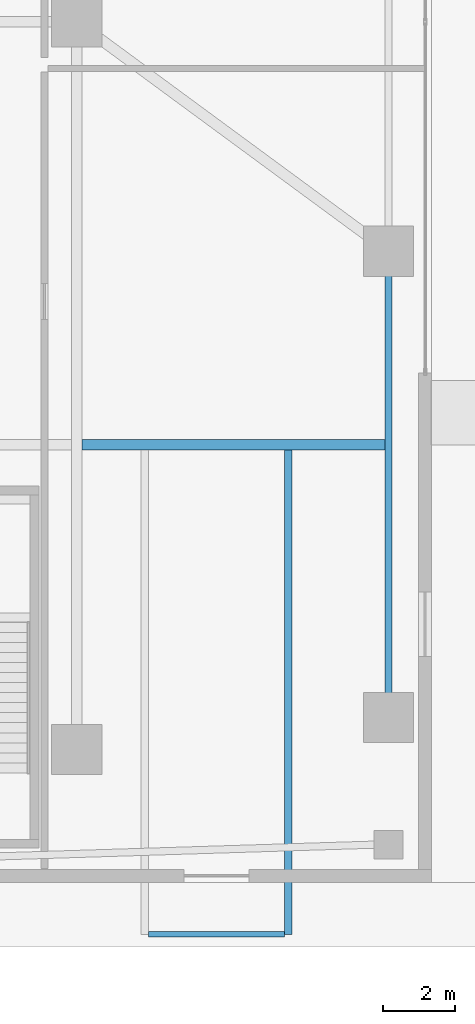
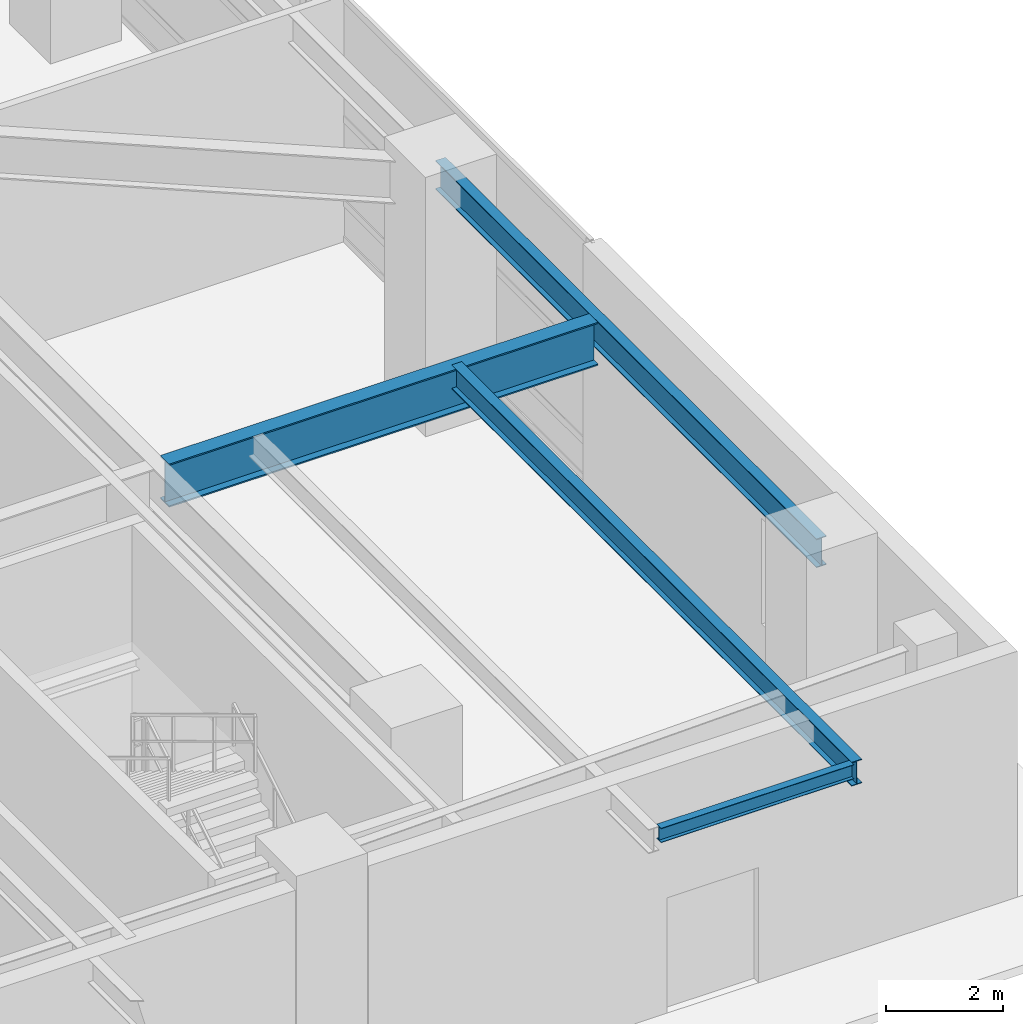
# One storey, part 19 of 32: 4 beams.
"""IFC4 building model written with IfcOpenShell, lengths in metres."""

from ifc_helpers import new_model, si_unit, direction, frame, origin, origin_2d, place, context, subcontext, project, spatial, i_section, extrude, source, transform, mapped, material, material_profile, profile_set, type_object, element, save


model = new_model("IFC4")

# Units and contexts
model_context = context("Model", 3, precision=1e-05, world=origin(), true_north=direction((0.0, 1.0)))
body_context = subcontext(model_context, "Body", "Model", "MODEL_VIEW")
ifc_project = project(units=[si_unit("LENGTHUNIT", "METRE"), si_unit("AREAUNIT", "SQUARE_METRE"), si_unit("VOLUMEUNIT", "CUBIC_METRE"), si_unit("PLANEANGLEUNIT", "RADIAN"), si_unit("MASSUNIT", "GRAM", prefix="KILO"), si_unit("THERMODYNAMICTEMPERATUREUNIT", "KELVIN"), si_unit("POWERUNIT", "WATT")], contexts=[model_context])

# Site, building, storey
site_placement = place(None, origin())
site = spatial("IfcSite", under=ifc_project, at=site_placement, CompositionType="ELEMENT")
building_placement = place(site_placement, origin())
building = spatial("IfcBuilding", under=site, at=building_placement, Name="Yuzanri Waterfront Tower", CompositionType="ELEMENT")
storey_placement = place(building_placement, origin())
storey = spatial("IfcBuildingStorey", under=building, at=storey_placement, Name="L01", CompositionType="ELEMENT", Elevation=0.0)

# Beams
ifc_material_1 = material(Name="Steel Q355B", Category="steel")
ifc_material_profile_1 = material_profile(ifc_material_1, i_section(OverallWidth=0.199951171875, OverallDepth=0.60009765625, WebThickness=0.010986328125, FlangeThickness=0.01708984375, at=origin_2d()), Name="HN 600x200x11x17")
ifc_profile_set_1 = profile_set([ifc_material_profile_1], Name="Steel Q355B")
beam_type_1 = type_object("IfcBeamType", Name="Perimeter Spandrel Q355B HN 600x200", PredefinedType="SPANDREL", material=ifc_profile_set_1)
shared_shape_1 = source(origin(), body_context, "Body", "SweptSolid", [
    extrude(i_section(OverallWidth=0.199951171875, OverallDepth=0.60009765625, WebThickness=0.010986328125, FlangeThickness=0.01708984375, at=origin_2d()), origin(), (0.0, 0.0, 1.0), 13.0),
])
beam_1_placement = place(storey_placement, frame((70.800048828125, 6.39990234375, 4.820068359375), z_axis=(0.0, 1.0, 0.0), x_axis=(-1.0, 0.0, 0.0)))
element("IfcBeam", 1, at=beam_1_placement, inside=storey, type_object=beam_type_1, Name="L01 East Podium Spandrel 1", PredefinedType="SPANDREL", context=body_context, shape_type="MappedRepresentation", body=[
    mapped(shared_shape_1, transform((0.0, 0.0, 0.0), scale=1.0)),
])
ifc_material_2 = material(Name="Steel Q355B", Category="steel")
ifc_material_profile_2 = material_profile(ifc_material_2, i_section(OverallWidth=0.300048828125, OverallDepth=0.89990234375, WebThickness=0.01611328125, FlangeThickness=0.028076171875, at=origin_2d()), Name="HN 900x300x16x28")
ifc_profile_set_2 = profile_set([ifc_material_profile_2], Name="Steel Q355B")
beam_type_2 = type_object("IfcBeamType", Name="Primary Podium Girder Q355B HN 900x300", PredefinedType="BEAM", material=ifc_profile_set_2)
shared_shape_2 = source(origin(), body_context, "Body", "SweptSolid", [
    extrude(i_section(OverallWidth=0.300048828125, OverallDepth=0.89990234375, WebThickness=0.01611328125, FlangeThickness=0.028076171875, at=origin_2d()), origin(), (0.0, 0.0, 1.0), 8.449951171875),
])
beam_2_placement = place(storey_placement, frame((62.25, 14.0, 4.669921875), z_axis=(1.0, 0.0, 0.0), x_axis=(0.0, 1.0, 0.0)))
element("IfcBeam", 2, at=beam_2_placement, inside=storey, type_object=beam_type_2, Name="L01 Canopy Interior Tie Girder Far-SE", PredefinedType="BEAM", context=body_context, shape_type="MappedRepresentation", body=[
    mapped(shared_shape_2, transform((0.0, 0.0, 0.0), scale=1.0)),
])
ifc_material_3 = material(Name="Steel Q355B", Category="steel")
ifc_material_profile_3 = material_profile(ifc_material_3, i_section(OverallWidth=0.199951171875, OverallDepth=0.5, WebThickness=0.010009765625, FlangeThickness=0.01611328125, at=origin_2d()), Name="HN 500x200x10x16")
ifc_profile_set_3 = profile_set([ifc_material_profile_3], Name="Steel Q355B")
beam_type_3 = type_object("IfcBeamType", Name="Secondary Floor Beam Q355B HN 500x200", PredefinedType="BEAM", material=ifc_profile_set_3)
shared_shape_3 = source(origin(), body_context, "Body", "SweptSolid", [
    extrude(i_section(OverallWidth=0.199951171875, OverallDepth=0.5, WebThickness=0.010009765625, FlangeThickness=0.01611328125, at=origin_2d()), origin(), (0.0, 0.0, 1.0), 13.64990234375),
])
beam_3_placement = place(storey_placement, frame((68.0, 14.0, 4.8701171875), z_axis=(0.0, -1.0, 0.0), x_axis=(1.0, 0.0, 0.0)))
element("IfcBeam", 3, at=beam_3_placement, inside=storey, type_object=beam_type_3, Name="L01 Canopy S4 Right Outlooker", PredefinedType="BEAM", context=body_context, shape_type="MappedRepresentation", body=[
    mapped(shared_shape_3, transform((0.0, 0.0, 0.0), scale=1.0)),
])
ifc_material_4 = material(Name="Steel Q355B", Category="steel")
ifc_material_profile_4 = material_profile(ifc_material_4, i_section(OverallWidth=0.14990234375, OverallDepth=0.300048828125, WebThickness=0.006591796875, FlangeThickness=0.009033203125, at=origin_2d()), Name="HN 300x150x6.5x9")
ifc_profile_set_4 = profile_set([ifc_material_profile_4], Name="Steel Q355B")
beam_type_4 = type_object("IfcBeamType", Name="Balcony Outlooker Joist Q355B HN 300x150", PredefinedType="JOIST", material=ifc_profile_set_4)
shared_shape_4 = source(origin(), body_context, "Body", "SweptSolid", [
    extrude(i_section(OverallWidth=0.14990234375, OverallDepth=0.300048828125, WebThickness=0.006591796875, FlangeThickness=0.009033203125, at=origin_2d()), origin(), (0.0, 0.0, 1.0), 3.7998046875),
])
beam_4_placement = place(storey_placement, frame((64.10009765625, 0.35009765625, 4.969970703125), z_axis=(1.0, 0.0, 0.0), x_axis=(0.0, 1.0, 0.0)))
element("IfcBeam", 4, at=beam_4_placement, inside=storey, type_object=beam_type_4, Name="L01 Canopy S4 Outer Edge Beam", PredefinedType="JOIST", context=body_context, shape_type="MappedRepresentation", body=[
    mapped(shared_shape_4, transform((0.0, 0.0, 0.0), scale=1.0)),
])

save(model, "model.ifc")
